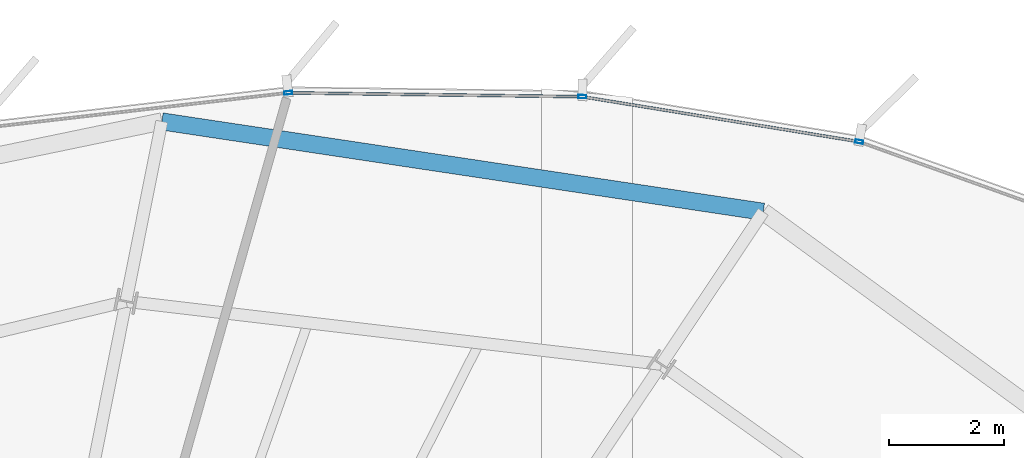
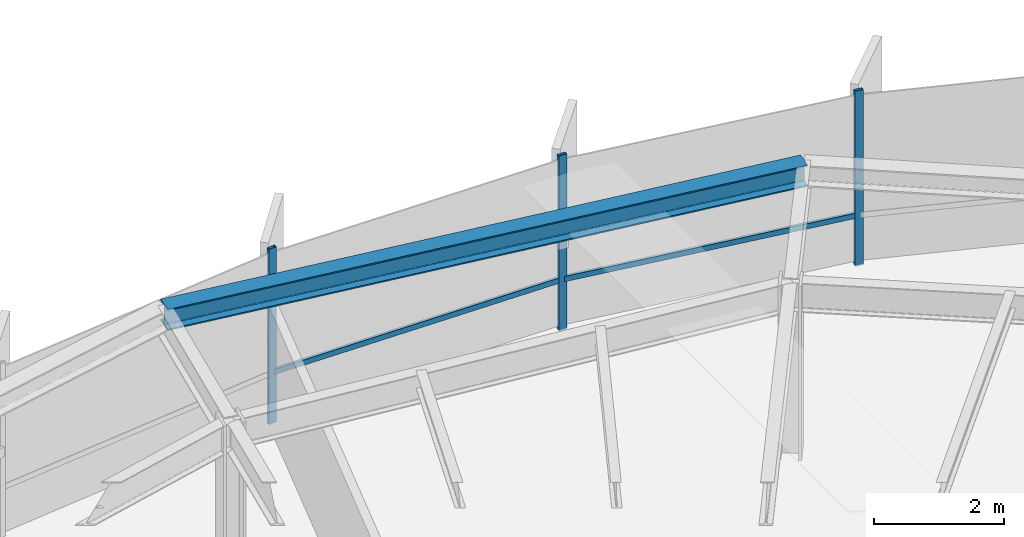
# One storey, part 28 of 36: 5 members, 1 beam, 1 element without a shape of its own.
"""IFC4 building model written with IfcOpenShell, lengths in metres."""

from ifc_helpers import new_model, si_unit, direction, frame, origin, origin_2d, place, context, subcontext, project, spatial, hollow_rectangle, i_section, extrude, source, transform, mapped, material, layer, layer_set, material_profile, profile_set, type_object, element, aggregate, save


model = new_model("IFC4")

# Units and contexts
model_context = context("Model", 3, precision=1e-05, world=origin(), true_north=direction((0.0, 1.0)))
body_context = subcontext(model_context, "Body", "Model", "MODEL_VIEW")
ifc_project = project(units=[si_unit("LENGTHUNIT", "METRE"), si_unit("AREAUNIT", "SQUARE_METRE"), si_unit("VOLUMEUNIT", "CUBIC_METRE"), si_unit("PLANEANGLEUNIT", "RADIAN"), si_unit("MASSUNIT", "GRAM", prefix="KILO"), si_unit("THERMODYNAMICTEMPERATUREUNIT", "KELVIN")], contexts=[model_context])

# Site, building, storey
site_placement = place(None, origin())
site = spatial("IfcSite", under=ifc_project, at=site_placement, CompositionType="ELEMENT")
building_placement = place(site_placement, origin())
building = spatial("IfcBuilding", under=site, at=building_placement, Name="Kethvar Cultural Tower", CompositionType="ELEMENT")
storey_placement = place(building_placement, frame((0.0, 0.0, 164.300048828125)))
storey = spatial("IfcBuildingStorey", under=building, at=storey_placement, Name="L42", CompositionType="ELEMENT", Elevation=164.300048828125)

# Beam
ifc_material_1 = material(Name="Steel S355J2", Category="steel")
ifc_material_profile_1 = material_profile(ifc_material_1, i_section(OverallWidth=0.300048828125, OverallDepth=0.39990234375, WebThickness=0.013427734375, FlangeThickness=0.02392578125, FilletRadius=0.027099609375, at=origin_2d()), Name="Steel S355J2 — HEB400")
ifc_profile_set_1 = profile_set([ifc_material_profile_1], Name="Steel S355J2 — HEB400")
beam_type = type_object("IfcBeamType", Name="BM-SP400", PredefinedType="SPANDREL", material=ifc_profile_set_1)
shared_shape_1 = source(origin(), body_context, "Body", "SweptSolid", [
    extrude(i_section(OverallWidth=0.300048828125, OverallDepth=0.39990234375, WebThickness=0.013427734375, FlangeThickness=0.02392578125, FilletRadius=0.027099609375, at=origin_2d()), origin(), (0.0, 0.0, 1.0), 10.607421875),
])
beam_placement = place(storey_placement, frame((62.1826171875, 50.821533203125, 3.097900390625), z_axis=(-0.98889884318, 0.148590302369, 0.0), x_axis=(-0.148590302369, -0.98889884318, 0.0)))
element("IfcBeam", 1, at=beam_placement, inside=storey, type_object=beam_type, Name="L42 Perimeter Spandrel Beam SP-03", PredefinedType="SPANDREL", context=body_context, shape_type="MappedRepresentation", body=[
    mapped(shared_shape_1, transform((0.0, 0.0, 0.0), scale=1.0)),
])

# Curtain wall, members
ifc_material_2 = material(Name="Aluminium 6063-T6", Category="aluminium")
ifc_layer = layer(ifc_material_2, 0.179931640625, Name="Aluminium 6063-T6", Category="aluminium")
ifc_layer_set = layer_set([ifc_layer], Name="Aluminium 6063-T6 (180 mm)")
curtain_wall_type = type_object("IfcCurtainWallType", Name="CW-SYS-04-Z34", PredefinedType="NOTDEFINED", material=ifc_layer_set)
curtain_wall_placement = place(storey_placement, origin())
curtain_wall = element("IfcCurtainWall", 2, at=curtain_wall_placement, inside=storey, type_object=curtain_wall_type, Name="L42 Curtain Wall Run 01", PredefinedType="NOTDEFINED")
ifc_material_profile_2 = material_profile(ifc_material_2, hollow_rectangle(XDim=0.06005859375, YDim=0.139892578125, WallThickness=0.0048828125, at=origin_2d()), Name="Aluminium 6063-T6 — RHS140x60x5")
ifc_profile_set_2 = profile_set([ifc_material_profile_2], Name="Aluminium 6063-T6 — RHS140x60x5")
member_type_1 = type_object("IfcMemberType", Name="CW-SYS-04-Z34-MUL", PredefinedType="MULLION", material=ifc_profile_set_2)
shared_shape_2 = source(origin(), body_context, "Body", "SweptSolid", [
    extrude(hollow_rectangle(XDim=0.06005859375, YDim=0.139892578125, WallThickness=0.0048828125, at=origin_2d()), origin(), (0.0, 0.0, 1.0), 3.300048828125),
])
member_1_placement = place(storey_placement, frame((63.85595703125, 52.044189453125, 0.0), z_axis=(0.0, 0.0, 1.0), x_axis=(-0.160191297801, -0.987085988204, 0.0)))
member_1 = element("IfcMember", 3, at=member_1_placement, type_object=member_type_1, Name="CW-L42-R01 Mullion 4", PredefinedType="MULLION", context=body_context, shape_type="MappedRepresentation", body=[
    mapped(shared_shape_2, transform((0.0, 0.0, 0.0), scale=1.0)),
])
member_2_placement = place(storey_placement, frame((59.028076171875, 52.828857421875, 0.0), z_axis=(0.0, 0.0, 1.0), x_axis=(-0.013141950945, -0.999913640834, 0.0)))
member_2 = element("IfcMember", 4, at=member_2_placement, type_object=member_type_1, Name="CW-L42-R01 Mullion 5", PredefinedType="MULLION", context=body_context, shape_type="MappedRepresentation", body=[
    mapped(shared_shape_2, transform((0.0, 0.0, 0.0), scale=1.0)),
])
member_3_placement = place(storey_placement, frame((53.897705078125, 52.897216796875, 0.0), z_axis=(0.0, 0.0, 1.0), x_axis=(0.114642405805, -0.993406824413, 0.0)))
member_3 = element("IfcMember", 5, at=member_3_placement, type_object=member_type_1, Name="CW-L42-R01 Mullion 6", PredefinedType="MULLION", context=body_context, shape_type="MappedRepresentation", body=[
    mapped(shared_shape_2, transform((0.0, 0.0, 0.0), scale=1.0)),
])
ifc_material_profile_3 = material_profile(ifc_material_2, hollow_rectangle(XDim=0.050048828125, YDim=0.10009765625, WallThickness=0.00390625, at=origin_2d()), Name="Aluminium 6063-T6 — RHS100x50x4")
ifc_profile_set_3 = profile_set([ifc_material_profile_3], Name="Aluminium 6063-T6 — RHS100x50x4")
member_type_2 = type_object("IfcMemberType", Name="CW-SYS-04-Z34-TRN", PredefinedType="USERDEFINED", material=ifc_profile_set_3)
shared_shape_3 = source(origin(), body_context, "Body", "SweptSolid", [
    extrude(hollow_rectangle(XDim=0.050048828125, YDim=0.10009765625, WallThickness=0.00390625, at=origin_2d()), origin(), (0.0, 0.0, 1.0), 4.821044921875),
])
member_4_placement = place(storey_placement, frame((63.813232421875, 52.051025390625, 0.949951171875), z_axis=(-0.987080379764, 0.160225852738, 0.0), x_axis=(-0.160225852738, -0.987080379764, 0.0)))
member_4 = element("IfcMember", 6, at=member_4_placement, type_object=member_type_2, Name="CW-L42-R01 Transom 4", ObjectType="TRANSOM", PredefinedType="USERDEFINED", context=body_context, shape_type="MappedRepresentation", body=[
    mapped(shared_shape_3, transform((0.0, 0.0, 0.0), scale=1.0)),
])
shared_shape_4 = source(origin(), body_context, "Body", "SweptSolid", [
    extrude(hollow_rectangle(XDim=0.050048828125, YDim=0.10009765625, WallThickness=0.00390625, at=origin_2d()), origin(), (0.0, 0.0, 1.0), 5.058349609375),
])
member_5_placement = place(storey_placement, frame((58.98486328125, 52.82958984375, 0.949951171875), z_axis=(-0.999913821697, 0.013128182628, 0.0), x_axis=(-0.013128182628, -0.999913821697, 0.0)))
member_5 = element("IfcMember", 7, at=member_5_placement, type_object=member_type_2, Name="CW-L42-R01 Transom 5", ObjectType="TRANSOM", PredefinedType="USERDEFINED", context=body_context, shape_type="MappedRepresentation", body=[
    mapped(shared_shape_4, transform((0.0, 0.0, 0.0), scale=1.0)),
])
aggregate(curtain_wall, [member_1, member_2, member_3, member_4, member_5])

save(model, "model.ifc")
